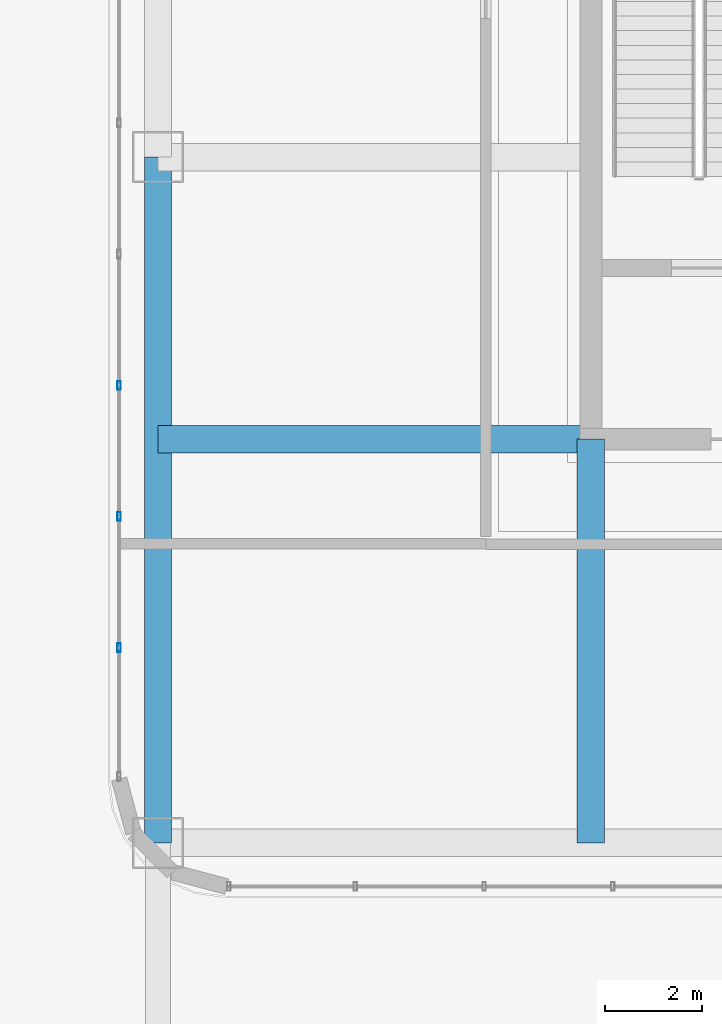
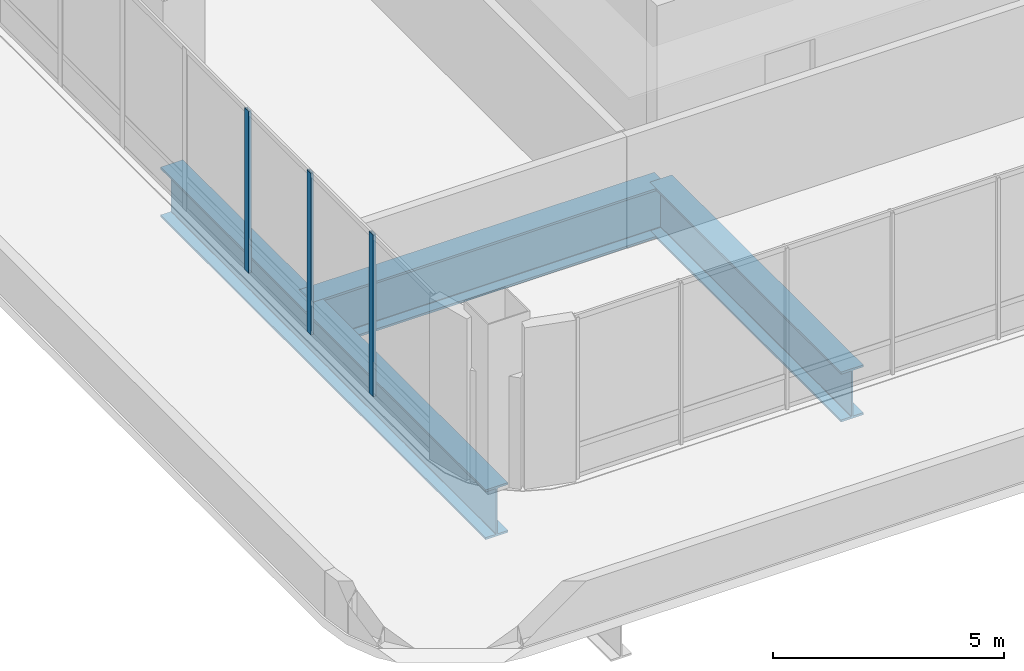
# One storey, part 4 of 33: 3 beams, 3 members, 1 element without a shape of its own.
"""IFC4 building model written with IfcOpenShell, lengths in metres."""

from ifc_helpers import new_model, si_unit, direction, frame, origin, origin_2d, place, context, subcontext, project, spatial, hollow_rectangle, i_section, extrude, material, material_profile, profile_set, type_object, element, aggregate, save


model = new_model("IFC4")

# Units and contexts
model_context = context("Model", 3, precision=1e-05, world=origin(), true_north=direction((0.0, 1.0)))
body_context = subcontext(model_context, "Body", "Model", "MODEL_VIEW")
ifc_project = project(units=[si_unit("LENGTHUNIT", "METRE"), si_unit("AREAUNIT", "SQUARE_METRE"), si_unit("VOLUMEUNIT", "CUBIC_METRE"), si_unit("PLANEANGLEUNIT", "RADIAN"), si_unit("MASSUNIT", "GRAM", prefix="KILO")], contexts=[model_context])

# Site, building, storey
site_placement = place(None, origin())
site = spatial("IfcSite", under=ifc_project, at=site_placement, CompositionType="ELEMENT")
building_placement = place(site_placement, origin())
building = spatial("IfcBuilding", under=site, at=building_placement, Name="Punatoya Terracotta Tower", CompositionType="ELEMENT")
storey_placement = place(building_placement, frame((0.0, 0.0, 343.800048828125)))
storey = spatial("IfcBuildingStorey", under=building, at=storey_placement, Name="L81", CompositionType="ELEMENT", Elevation=343.800048828125)

# Beams
ifc_material_1 = material(Name="Steel S460", Category="steel")
ifc_material_profile_1 = material_profile(ifc_material_1, i_section(OverallWidth=0.56005859375, OverallDepth=1.320068359375, WebThickness=0.035888671875, FlangeThickness=0.054931640625, FilletRadius=0.01806640625, at=origin_2d()))
ifc_profile_set_1 = profile_set([ifc_material_profile_1], Name="Steel S460")
beam_type = type_object("IfcBeamType", Name="BM-TG-BLK", PredefinedType="BEAM", material=ifc_profile_set_1)
beam_1_placement = place(storey_placement, frame((-19.10009765625, -17.5, -0.93994140625), z_axis=(0.0, 1.0, 0.0), x_axis=(-1.0, 0.0, 0.0)))
element("IfcBeam", 1, at=beam_1_placement, inside=storey, type_object=beam_type, Name="BM-L81-RG-W1", PredefinedType="BEAM", context=body_context, shape_type="SweptSolid", body=[
    extrude(i_section(OverallWidth=0.56005859375, OverallDepth=1.320068359375, WebThickness=0.035888671875, FlangeThickness=0.054931640625, FilletRadius=0.01806640625, at=origin_2d()), origin(), (0.0, 0.0, 1.0), 14.10009765625),
])
beam_2_placement = place(storey_placement, frame((-19.10009765625, -9.199951171875, -0.93994140625), z_axis=(1.0, 0.0, 0.0), x_axis=(0.0, 1.0, 0.0)))
element("IfcBeam", 2, at=beam_2_placement, inside=storey, type_object=beam_type, Name="BM-L81-PR-WS", PredefinedType="BEAM", context=body_context, shape_type="SweptSolid", body=[
    extrude(i_section(OverallWidth=0.56005859375, OverallDepth=1.320068359375, WebThickness=0.035888671875, FlangeThickness=0.054931640625, FilletRadius=0.01806640625, at=origin_2d()), origin(), (0.0, 0.0, 1.0), 8.900146484375),
])
beam_3_placement = place(storey_placement, frame((-10.199951171875, -17.5, -0.93994140625), z_axis=(0.0, 1.0, 0.0), x_axis=(-1.0, 0.0, 0.0)))
element("IfcBeam", 3, at=beam_3_placement, inside=storey, type_object=beam_type, Name="BM-L81-PR-S1", PredefinedType="BEAM", context=body_context, shape_type="SweptSolid", body=[
    extrude(i_section(OverallWidth=0.56005859375, OverallDepth=1.320068359375, WebThickness=0.035888671875, FlangeThickness=0.054931640625, FilletRadius=0.01806640625, at=origin_2d()), origin(), (0.0, 0.0, 1.0), 8.300048828125),
])

# Curtain wall, members
ifc_material_2 = material(Name="Aluminium 6063-T6 + Double Low-E Glass", Category="aluminium")
curtain_wall_type = type_object("IfcCurtainWallType", Name="CW-CRN", PredefinedType="NOTDEFINED", material=ifc_material_2)
curtain_wall_placement = place(storey_placement, origin())
curtain_wall = element("IfcCurtainWall", 4, at=curtain_wall_placement, inside=storey, type_object=curtain_wall_type, Name="L81 Curtain Wall CW-L81-W13-1", PredefinedType="NOTDEFINED")
ifc_material_3 = material(Name="Aluminium 6063-T6", Category="aluminium")
ifc_material_profile_2 = material_profile(ifc_material_3, hollow_rectangle(XDim=0.070068359375, YDim=0.179931640625, WallThickness=0.00390625, at=origin_2d()))
ifc_profile_set_2 = profile_set([ifc_material_profile_2], Name="Aluminium 6063-T6")
member_type = type_object("IfcMemberType", Name="CW-MUL-M3", PredefinedType="MULLION", material=ifc_profile_set_2)
member_1_placement = place(storey_placement, frame((-19.89990234375, -8.093505859375, 0.0), z_axis=(0.0, 0.0, 1.0), x_axis=(1.0, 0.0, 0.0)))
member_1 = element("IfcMember", 5, at=member_1_placement, type_object=member_type, Name="CW-L81-W13-1 Mullion 09", PredefinedType="MULLION", context=body_context, shape_type="SweptSolid", body=[
    extrude(hollow_rectangle(XDim=0.070068359375, YDim=0.179931640625, WallThickness=0.00390625, at=origin_2d()), origin(), (0.0, 0.0, 1.0), 4.280029296875),
])
member_2_placement = place(storey_placement, frame((-19.89990234375, -10.791259765625, 0.0), z_axis=(0.0, 0.0, 1.0), x_axis=(1.0, 0.0, 0.0)))
member_2 = element("IfcMember", 6, at=member_2_placement, type_object=member_type, Name="CW-L81-W13-1 Mullion 10", PredefinedType="MULLION", context=body_context, shape_type="SweptSolid", body=[
    extrude(hollow_rectangle(XDim=0.070068359375, YDim=0.179931640625, WallThickness=0.00390625, at=origin_2d()), origin(), (0.0, 0.0, 1.0), 4.280029296875),
])
member_3_placement = place(storey_placement, frame((-19.89990234375, -13.489013671875, 0.0), z_axis=(0.0, 0.0, 1.0), x_axis=(1.0, 0.0, 0.0)))
member_3 = element("IfcMember", 7, at=member_3_placement, type_object=member_type, Name="CW-L81-W13-1 Mullion 11", PredefinedType="MULLION", context=body_context, shape_type="SweptSolid", body=[
    extrude(hollow_rectangle(XDim=0.070068359375, YDim=0.179931640625, WallThickness=0.00390625, at=origin_2d()), origin(), (0.0, 0.0, 1.0), 4.280029296875),
])
aggregate(curtain_wall, [member_1, member_2, member_3])

save(model, "model.ifc")
